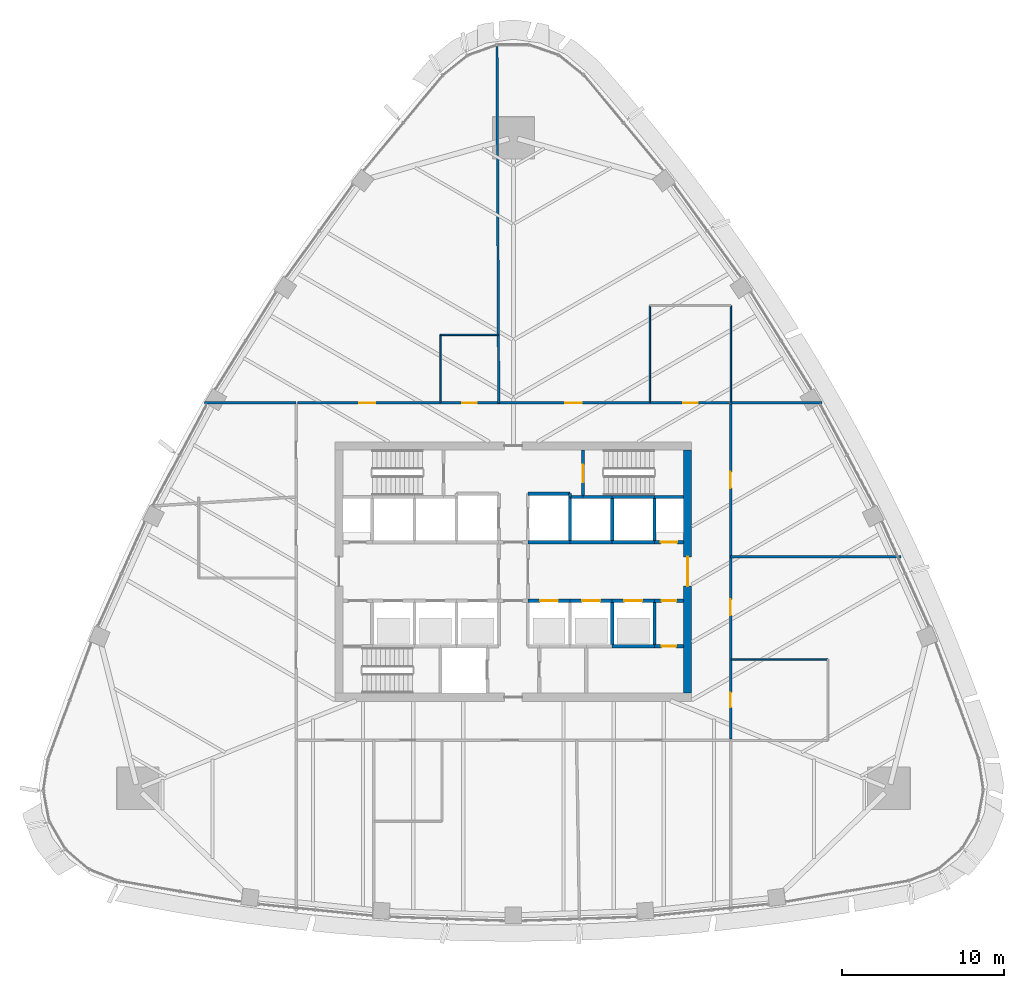
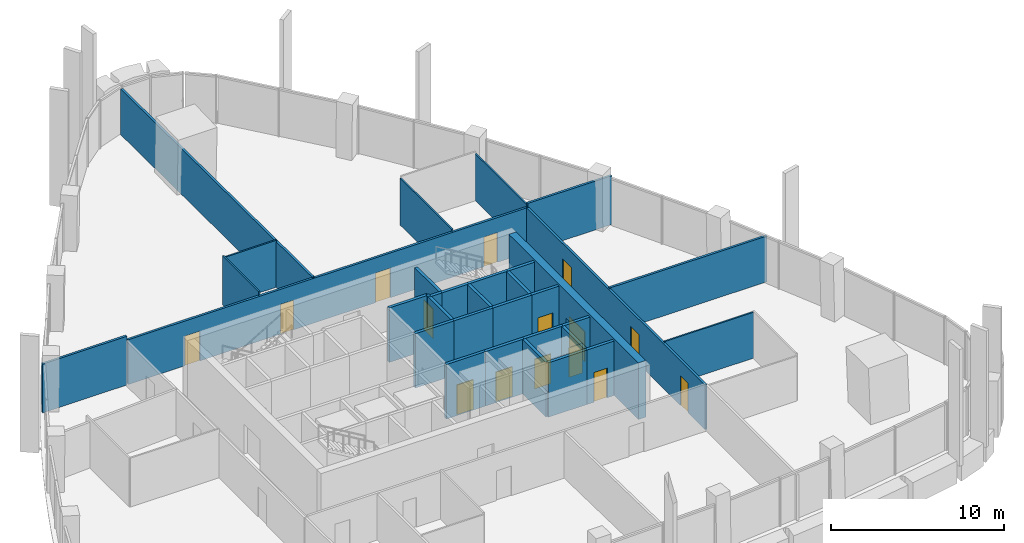
# One storey, part 11 of 19: 34 walls, 15 doors, 15 openings.
"""IFC4 building model written with IfcOpenShell, lengths in metres."""

from ifc_helpers import new_model, si_unit, direction, frame, frame_2d, origin, place, context, subcontext, project, spatial, rectangle, extrude, material, layer, layer_set, type_object, element, fill, save


model = new_model("IFC4")

# Units and contexts
model_context = context("Model", 3, precision=1e-05, world=origin(), true_north=direction((0.0, 1.0)))
body_context = subcontext(model_context, "Body", "Model", "MODEL_VIEW")
ifc_project = project(units=[si_unit("LENGTHUNIT", "METRE"), si_unit("AREAUNIT", "SQUARE_METRE"), si_unit("VOLUMEUNIT", "CUBIC_METRE"), si_unit("PLANEANGLEUNIT", "RADIAN"), si_unit("MASSUNIT", "GRAM", prefix="KILO")], contexts=[model_context])

# Site, building, storey
site_placement = place(None, origin())
site = spatial("IfcSite", under=ifc_project, at=site_placement, CompositionType="ELEMENT")
building_placement = place(site_placement, origin())
building = spatial("IfcBuilding", under=site, at=building_placement, Name="Sierra Prisma Convention Tower", CompositionType="ELEMENT")
storey_placement = place(building_placement, frame((0.0, 0.0, 193.800048828125)))
storey = spatial("IfcBuildingStorey", under=building, at=storey_placement, Name="L43", CompositionType="ELEMENT", Elevation=193.800048828125)

# Walls
ifc_material_1 = material(Name="Gypsum board partition", Category="gypsum")
ifc_layer_1 = layer(ifc_material_1, 0.10009765625)
ifc_layer_set_1 = layer_set([ifc_layer_1], Name="Bathroom partition 100")
wall_type_1 = type_object("IfcWallType", Name="Bathroom partition 100", PredefinedType="PARTITIONING", material=ifc_layer_set_1)
wall_1_placement = place(storey_placement, frame((-4.5, 10.429931640625, 0.0), z_axis=(0.0, 0.0, 1.0), x_axis=(0.0, 1.0, 0.0)))
element("IfcWall", 1, at=wall_1_placement, inside=storey, type_object=wall_type_1, Name="Partition L43 bath 5", PredefinedType="PARTITIONING", context=body_context, shape_type="SweptSolid", body=[
    extrude(rectangle(XDim=4.170166015625, YDim=0.10009765625, at=frame_2d((2.0849609375, 0.0))), origin(), (0.0, 0.0, 1.0), 3.449951171875),
])
wall_2_placement = place(storey_placement, frame((-4.5, 14.60009765625, 0.0), z_axis=(0.0, 0.0, 1.0), x_axis=(1.0, 0.0, 0.0)))
element("IfcWall", 2, at=wall_2_placement, inside=storey, type_object=wall_type_1, Name="Partition L43 bath 6", PredefinedType="PARTITIONING", context=body_context, shape_type="SweptSolid", body=[
    extrude(rectangle(XDim=3.570068359375, YDim=0.10009765625, at=frame_2d((1.78515625, 0.0))), origin(), (0.0, 0.0, 1.0), 3.31689453125),
])
for number, where, z_axis, x_axis, name in (
    (3, (8.419921875, 10.429931640625, 0.0), (0.0, 0.0, 1.0), (0.0, 1.0, 0.0), "Partition L43 bath 7"),
    (4, (13.419921875, 16.39990234375, 0.0), (0.0, 0.0, 1.0), (0.0, -1.0, 0.0), "Partition L43 bath 9"),
):
    element("IfcWall", number, at=place(storey_placement, frame(where, z_axis=z_axis, x_axis=x_axis)), inside=storey, type_object=wall_type_1, Name=name, PredefinedType="PARTITIONING", context=body_context, shape_type="SweptSolid", body=[
        extrude(rectangle(XDim=5.969970703125, YDim=0.10009765625, at=frame_2d((2.98486328125, 0.0))), origin(), (0.0, 0.0, 1.0), 3.31689453125),
    ])
wall_3_placement = place(storey_placement, frame((13.429931640625, -5.419921875, 0.0), z_axis=(0.0, 0.0, 1.0), x_axis=(1.0, 0.0, 0.0)))
element("IfcWall", 5, at=wall_3_placement, inside=storey, type_object=wall_type_1, Name="Partition L43 bath 10", PredefinedType="PARTITIONING", context=body_context, shape_type="SweptSolid", body=[
    extrude(rectangle(XDim=5.969970703125, YDim=0.10009765625, at=frame_2d((2.98486328125, 0.0))), origin(), (0.0, 0.0, 1.0), 3.2470703125),
])

# Wall, opening, door
ifc_material_2 = material(Name="Concrete C30/37", Category="concrete")
ifc_layer_2 = layer(ifc_material_2, 0.199951171875)
ifc_layer_set_2 = layer_set([ifc_layer_2], Name="Core wall RC 200 C30/37")
wall_type_2 = type_object("IfcWallType", Name="Core wall RC 200 C30/37", PredefinedType="SOLIDWALL", material=ifc_layer_set_2)
wall_4_placement = place(storey_placement, frame((0.89990234375, -1.800048828125, 0.0), z_axis=(0.0, 0.0, 1.0), x_axis=(1.0, 0.0, 0.0)))
wall_4 = element("IfcWall", 6, at=wall_4_placement, inside=storey, type_object=wall_type_2, Name="Core wall L43 35", PredefinedType="SOLIDWALL", context=body_context, shape_type="SweptSolid", body=[
    extrude(rectangle(XDim=2.60009765625, YDim=0.199951171875, at=frame_2d((1.300048828125, 0.0))), origin(), (0.0, 0.0, 1.0), 3.849853515625),
])
opening_1_placement = place(wall_4_placement, frame((0.75, 0.0, 0.0)))
opening_1 = element("IfcOpeningElement", 7, at=opening_1_placement, cuts=wall_4, Name="Opening L43-D004", PredefinedType="OPENING", context=body_context, shape_type="SweptSolid", body=[
    extrude(rectangle(XDim=1.10009765625, YDim=2.10009765625, at=frame_2d((0.550048828125, 1.050048828125))), frame((0.0, 0.10009765625, 0.0), z_axis=(0.0, -1.0, 0.0), x_axis=(1.0, 0.0, 0.0)), (0.0, 0.0, 1.0), 0.199951171875),
])
ifc_material_3 = material(Name="Steel fire door leaf", Category="steel")
door_type_1 = type_object("IfcDoorType", Name="Door 1100x2100 EI 90 sliding lift landing", OperationType="SLIDING_TO_LEFT", PredefinedType="DOOR", material=ifc_material_3)
door_1_placement = place(opening_1_placement, origin())
door_1 = element("IfcDoor", 8, at=door_1_placement, inside=storey, type_object=door_type_1, Name="Door L43 18", OperationType="SLIDING_TO_RIGHT", OverallHeight=2.10009765625, OverallWidth=1.10009765625, PredefinedType="DOOR", context=body_context, shape_type="SweptSolid", body=[
    extrude(rectangle(XDim=1.10009765625, YDim=2.10009765625, at=frame_2d((0.550048828125, 1.050048828125))), frame((0.0, 0.02490234375, 0.0), z_axis=(0.0, -1.0, 0.0), x_axis=(1.0, 0.0, 0.0)), (0.0, 0.0, 1.0), 0.050048828125),
])
fill(opening_1, door_1)

# Walls
wall_5_placement = place(storey_placement, frame((3.5, 1.800048828125, 0.0), z_axis=(0.0, 0.0, 1.0), x_axis=(-1.0, 0.0, 0.0)))
element("IfcWall", 9, at=wall_5_placement, inside=storey, type_object=wall_type_2, Name="Core wall L43 39", PredefinedType="SOLIDWALL", context=body_context, shape_type="SweptSolid", body=[
    extrude(rectangle(XDim=2.60009765625, YDim=0.199951171875, at=frame_2d((1.300048828125, 0.0))), origin(), (0.0, 0.0, 1.0), 3.849853515625),
])
wall_6_placement = place(storey_placement, frame((3.5, 4.60009765625, 0.0), z_axis=(0.0, 0.0, 1.0), x_axis=(0.0, 1.0, 0.0)))
element("IfcWall", 10, at=wall_6_placement, inside=storey, type_object=wall_type_2, Name="Core wall L43 40", PredefinedType="SOLIDWALL", context=body_context, shape_type="SweptSolid", body=[
    extrude(rectangle(XDim=0.199951171875, YDim=0.199951171875, at=frame_2d((0.10009765625, 0.0))), origin(), (0.0, 0.0, 1.0), 3.849853515625),
])
wall_7_placement = place(storey_placement, frame((3.5, 4.800048828125, 0.0), z_axis=(0.0, 0.0, 1.0), x_axis=(-1.0, 0.0, 0.0)))
element("IfcWall", 11, at=wall_7_placement, inside=storey, type_object=wall_type_2, Name="Core wall L43 41", PredefinedType="SOLIDWALL", context=body_context, shape_type="SweptSolid", body=[
    extrude(rectangle(XDim=2.60009765625, YDim=0.199951171875, at=frame_2d((1.300048828125, 0.0))), origin(), (0.0, 0.0, 1.0), 3.849853515625),
])

# Wall, opening, door
wall_8_placement = place(storey_placement, frame((3.5, -1.800048828125, 0.0), z_axis=(0.0, 0.0, 1.0), x_axis=(1.0, 0.0, 0.0)))
wall_8 = element("IfcWall", 12, at=wall_8_placement, inside=storey, type_object=wall_type_2, Name="Core wall L43 47", PredefinedType="SOLIDWALL", context=body_context, shape_type="SweptSolid", body=[
    extrude(rectangle(XDim=2.60009765625, YDim=0.199951171875, at=frame_2d((1.300048828125, 0.0))), origin(), (0.0, 0.0, 1.0), 3.849853515625),
])
opening_2_placement = place(wall_8_placement, frame((0.75, 0.0, 0.0)))
opening_2 = element("IfcOpeningElement", 13, at=opening_2_placement, cuts=wall_8, Name="Opening L43-D005", PredefinedType="OPENING", context=body_context, shape_type="SweptSolid", body=[
    extrude(rectangle(XDim=1.10009765625, YDim=2.10009765625, at=frame_2d((0.550048828125, 1.050048828125))), frame((0.0, 0.10009765625, 0.0), z_axis=(0.0, -1.0, 0.0), x_axis=(1.0, 0.0, 0.0)), (0.0, 0.0, 1.0), 0.199951171875),
])
door_2_placement = place(opening_2_placement, origin())
door_2 = element("IfcDoor", 14, at=door_2_placement, inside=storey, type_object=door_type_1, Name="Door L43 19", OperationType="SLIDING_TO_RIGHT", OverallHeight=2.10009765625, OverallWidth=1.10009765625, PredefinedType="DOOR", context=body_context, shape_type="SweptSolid", body=[
    extrude(rectangle(XDim=1.10009765625, YDim=2.10009765625, at=frame_2d((0.550048828125, 1.050048828125))), frame((0.0, 0.02490234375, 0.0), z_axis=(0.0, -1.0, 0.0), x_axis=(1.0, 0.0, 0.0)), (0.0, 0.0, 1.0), 0.050048828125),
])
fill(opening_2, door_2)

# Walls
wall_9_placement = place(storey_placement, frame((6.10009765625, 1.800048828125, 0.0), z_axis=(0.0, 0.0, 1.0), x_axis=(-1.0, 0.0, 0.0)))
element("IfcWall", 15, at=wall_9_placement, inside=storey, type_object=wall_type_2, Name="Core wall L43 48", PredefinedType="SOLIDWALL", context=body_context, shape_type="SweptSolid", body=[
    extrude(rectangle(XDim=2.60009765625, YDim=0.199951171875, at=frame_2d((1.300048828125, 0.0))), origin(), (0.0, 0.0, 1.0), 3.849853515625),
])
wall_10_placement = place(storey_placement, frame((3.5, 1.800048828125, 0.0), z_axis=(0.0, 0.0, 1.0), x_axis=(0.0, 1.0, 0.0)))
element("IfcWall", 16, at=wall_10_placement, inside=storey, type_object=wall_type_2, Name="Core wall L43 49", PredefinedType="SOLIDWALL", context=body_context, shape_type="SweptSolid", body=[
    extrude(rectangle(XDim=2.800048828125, YDim=0.199951171875, at=frame_2d((1.39990234375, 0.0))), origin(), (0.0, 0.0, 1.0), 3.849853515625),
])
wall_11_placement = place(storey_placement, frame((4.300048828125, 4.60009765625, 0.0), z_axis=(0.0, 0.0, 1.0), x_axis=(-1.0, 0.0, 0.0)))
element("IfcWall", 17, at=wall_11_placement, inside=storey, type_object=wall_type_2, Name="Core wall L43 50", PredefinedType="SOLIDWALL", context=body_context, shape_type="SweptSolid", body=[
    extrude(rectangle(XDim=0.800048828125, YDim=0.199951171875, at=frame_2d((0.39990234375, 0.0))), origin(), (0.0, 0.0, 1.0), 3.849853515625),
])
wall_12_placement = place(storey_placement, frame((6.10009765625, 4.60009765625, 0.0), z_axis=(0.0, 0.0, 1.0), x_axis=(-1.0, 0.0, 0.0)))
element("IfcWall", 18, at=wall_12_placement, inside=storey, type_object=wall_type_2, Name="Core wall L43 51", PredefinedType="SOLIDWALL", context=body_context, shape_type="SweptSolid", body=[
    extrude(rectangle(XDim=1.800048828125, YDim=0.199951171875, at=frame_2d((0.89990234375, 0.0))), origin(), (0.0, 0.0, 1.0), 3.849853515625),
])

# Wall, opening, door
wall_13_placement = place(storey_placement, frame((4.300048828125, 7.5, 0.0), z_axis=(0.0, 0.0, 1.0), x_axis=(0.0, -1.0, 0.0)))
wall_13 = element("IfcWall", 19, at=wall_13_placement, inside=storey, type_object=wall_type_2, Name="Core wall L43 52", PredefinedType="SOLIDWALL", context=body_context, shape_type="SweptSolid", body=[
    extrude(rectangle(XDim=2.89990234375, YDim=0.199951171875, at=frame_2d((1.449951171875, 0.0))), origin(), (0.0, 0.0, 1.0), 3.849853515625),
])
opening_3_placement = place(wall_13_placement, frame((0.89990234375, 0.0, 0.0)))
opening_3 = element("IfcOpeningElement", 20, at=opening_3_placement, cuts=wall_13, Name="Opening L43-D019", PredefinedType="OPENING", context=body_context, shape_type="SweptSolid", body=[
    extrude(rectangle(XDim=1.10009765625, YDim=2.10009765625, at=frame_2d((0.550048828125, 1.050048828125))), frame((0.0, 0.10009765625, 0.0), z_axis=(0.0, -1.0, 0.0), x_axis=(1.0, 0.0, 0.0)), (0.0, 0.0, 1.0), 0.199951171875),
])
ifc_material_4 = material(Name="Steel fire door leaf", Category="steel")
door_type_2 = type_object("IfcDoorType", Name="Door 1100x2100 FD90S", OperationType="SINGLE_SWING_LEFT", PredefinedType="DOOR", material=ifc_material_4)
door_3_placement = place(opening_3_placement, origin())
door_3 = element("IfcDoor", 21, at=door_3_placement, inside=storey, type_object=door_type_2, Name="Door L43 33", OperationType="SINGLE_SWING_LEFT", OverallHeight=2.10009765625, OverallWidth=1.10009765625, PredefinedType="DOOR", context=body_context, shape_type="SweptSolid", body=[
    extrude(rectangle(XDim=1.10009765625, YDim=2.10009765625, at=frame_2d((0.550048828125, 1.050048828125))), frame((0.0, 0.02490234375, 0.0), z_axis=(0.0, -1.0, 0.0), x_axis=(1.0, 0.0, 0.0)), (0.0, 0.0, 1.0), 0.050048828125),
])
fill(opening_3, door_3)

# Walls
wall_14_placement = place(storey_placement, frame((8.699951171875, -4.60009765625, 0.0), z_axis=(0.0, 0.0, 1.0), x_axis=(-1.0, 0.0, 0.0)))
element("IfcWall", 22, at=wall_14_placement, inside=storey, type_object=wall_type_2, Name="Core wall L43 55", PredefinedType="SOLIDWALL", context=body_context, shape_type="SweptSolid", body=[
    extrude(rectangle(XDim=2.599853515625, YDim=0.199951171875, at=frame_2d((1.2998046875, 0.0))), origin(), (0.0, 0.0, 1.0), 3.849853515625),
])
wall_15_placement = place(storey_placement, frame((6.10009765625, -4.60009765625, 0.0), z_axis=(0.0, 0.0, 1.0), x_axis=(0.0, 1.0, 0.0)))
element("IfcWall", 23, at=wall_15_placement, inside=storey, type_object=wall_type_2, Name="Core wall L43 56", PredefinedType="SOLIDWALL", context=body_context, shape_type="SweptSolid", body=[
    extrude(rectangle(XDim=2.800048828125, YDim=0.199951171875, at=frame_2d((1.39990234375, 0.0))), origin(), (0.0, 0.0, 1.0), 3.849853515625),
])

# Wall, opening, door
wall_16_placement = place(storey_placement, frame((6.10009765625, -1.800048828125, 0.0), z_axis=(0.0, 0.0, 1.0), x_axis=(1.0, 0.0, 0.0)))
wall_16 = element("IfcWall", 24, at=wall_16_placement, inside=storey, type_object=wall_type_2, Name="Core wall L43 57", PredefinedType="SOLIDWALL", context=body_context, shape_type="SweptSolid", body=[
    extrude(rectangle(XDim=2.599853515625, YDim=0.199951171875, at=frame_2d((1.2998046875, 0.0))), origin(), (0.0, 0.0, 1.0), 3.849853515625),
])
opening_4_placement = place(wall_16_placement, frame((0.75, 0.0, 0.0)))
opening_4 = element("IfcOpeningElement", 25, at=opening_4_placement, cuts=wall_16, Name="Opening L43-D006", PredefinedType="OPENING", context=body_context, shape_type="SweptSolid", body=[
    extrude(rectangle(XDim=1.10009765625, YDim=2.10009765625, at=frame_2d((0.550048828125, 1.050048828125))), frame((0.0, 0.10009765625, 0.0), z_axis=(0.0, -1.0, 0.0), x_axis=(1.0, 0.0, 0.0)), (0.0, 0.0, 1.0), 0.199951171875),
])
door_4_placement = place(opening_4_placement, origin())
door_4 = element("IfcDoor", 26, at=door_4_placement, inside=storey, type_object=door_type_1, Name="Door L43 20", OperationType="SLIDING_TO_RIGHT", OverallHeight=2.10009765625, OverallWidth=1.10009765625, PredefinedType="DOOR", context=body_context, shape_type="SweptSolid", body=[
    extrude(rectangle(XDim=1.10009765625, YDim=2.10009765625, at=frame_2d((0.550048828125, 1.050048828125))), frame((0.0, 0.02490234375, 0.0), z_axis=(0.0, -1.0, 0.0), x_axis=(1.0, 0.0, 0.0)), (0.0, 0.0, 1.0), 0.050048828125),
])
fill(opening_4, door_4)

# Walls
wall_17_placement = place(storey_placement, frame((8.699951171875, 1.800048828125, 0.0), z_axis=(0.0, 0.0, 1.0), x_axis=(-1.0, 0.0, 0.0)))
element("IfcWall", 27, at=wall_17_placement, inside=storey, type_object=wall_type_2, Name="Core wall L43 58", PredefinedType="SOLIDWALL", context=body_context, shape_type="SweptSolid", body=[
    extrude(rectangle(XDim=2.599853515625, YDim=0.199951171875, at=frame_2d((1.2998046875, 0.0))), origin(), (0.0, 0.0, 1.0), 3.849853515625),
])
wall_18_placement = place(storey_placement, frame((6.10009765625, 1.800048828125, 0.0), z_axis=(0.0, 0.0, 1.0), x_axis=(0.0, 1.0, 0.0)))
element("IfcWall", 28, at=wall_18_placement, inside=storey, type_object=wall_type_2, Name="Core wall L43 59", PredefinedType="SOLIDWALL", context=body_context, shape_type="SweptSolid", body=[
    extrude(rectangle(XDim=2.800048828125, YDim=0.199951171875, at=frame_2d((1.39990234375, 0.0))), origin(), (0.0, 0.0, 1.0), 3.849853515625),
])
wall_19_placement = place(storey_placement, frame((8.699951171875, 4.60009765625, 0.0), z_axis=(0.0, 0.0, 1.0), x_axis=(-1.0, 0.0, 0.0)))
element("IfcWall", 29, at=wall_19_placement, inside=storey, type_object=wall_type_2, Name="Core wall L43 60", PredefinedType="SOLIDWALL", context=body_context, shape_type="SweptSolid", body=[
    extrude(rectangle(XDim=2.599853515625, YDim=0.199951171875, at=frame_2d((1.2998046875, 0.0))), origin(), (0.0, 0.0, 1.0), 3.849853515625),
])

# Wall, opening, door
wall_20_placement = place(storey_placement, frame((10.5, -4.60009765625, 0.0), z_axis=(0.0, 0.0, 1.0), x_axis=(-1.0, 0.0, 0.0)))
wall_20 = element("IfcWall", 30, at=wall_20_placement, inside=storey, type_object=wall_type_2, Name="Core wall L43 61", PredefinedType="SOLIDWALL", context=body_context, shape_type="SweptSolid", body=[
    extrude(rectangle(XDim=1.800048828125, YDim=0.199951171875, at=frame_2d((0.89990234375, 0.0))), origin(), (0.0, 0.0, 1.0), 3.849853515625),
])
opening_5_placement = place(wall_20_placement, frame((0.4599609375, 0.0, 0.0)))
opening_5 = element("IfcOpeningElement", 31, at=opening_5_placement, cuts=wall_20, Name="Opening L43-D020", PredefinedType="OPENING", context=body_context, shape_type="SweptSolid", body=[
    extrude(rectangle(XDim=0.89990234375, YDim=2.10009765625, at=frame_2d((0.449951171875, 1.050048828125))), frame((0.0, 0.10009765625, 0.0), z_axis=(0.0, -1.0, 0.0), x_axis=(1.0, 0.0, 0.0)), (0.0, 0.0, 1.0), 0.199951171875),
])
ifc_material_5 = material(Name="Steel fire door leaf", Category="steel")
door_type_3 = type_object("IfcDoorType", Name="Door 900x2100 FD30S", OperationType="SINGLE_SWING_LEFT", PredefinedType="DOOR", material=ifc_material_5)
door_5_placement = place(opening_5_placement, origin())
door_5 = element("IfcDoor", 32, at=door_5_placement, inside=storey, type_object=door_type_3, Name="Door L43 34", OperationType="SINGLE_SWING_LEFT", OverallHeight=2.10009765625, OverallWidth=0.89990234375, PredefinedType="DOOR", context=body_context, shape_type="SweptSolid", body=[
    extrude(rectangle(XDim=0.89990234375, YDim=2.10009765625, at=frame_2d((0.449951171875, 1.050048828125))), frame((0.0, 0.02490234375, 0.0), z_axis=(0.0, -1.0, 0.0), x_axis=(1.0, 0.0, 0.0)), (0.0, 0.0, 1.0), 0.050048828125),
])
fill(opening_5, door_5)

# Wall
wall_21_placement = place(storey_placement, frame((8.699951171875, -1.800048828125, 0.0), z_axis=(0.0, 0.0, 1.0), x_axis=(0.0, -1.0, 0.0)))
element("IfcWall", 33, at=wall_21_placement, inside=storey, type_object=wall_type_2, Name="Core wall L43 62", PredefinedType="SOLIDWALL", context=body_context, shape_type="SweptSolid", body=[
    extrude(rectangle(XDim=2.800048828125, YDim=0.199951171875, at=frame_2d((1.39990234375, 0.0))), origin(), (0.0, 0.0, 1.0), 3.849853515625),
])

# Wall, opening, door
wall_22_placement = place(storey_placement, frame((8.699951171875, -1.800048828125, 0.0), z_axis=(0.0, 0.0, 1.0), x_axis=(1.0, 0.0, 0.0)))
wall_22 = element("IfcWall", 34, at=wall_22_placement, inside=storey, type_object=wall_type_2, Name="Core wall L43 63", PredefinedType="SOLIDWALL", context=body_context, shape_type="SweptSolid", body=[
    extrude(rectangle(XDim=1.800048828125, YDim=0.199951171875, at=frame_2d((0.89990234375, 0.0))), origin(), (0.0, 0.0, 1.0), 3.849853515625),
])
opening_6_placement = place(wall_22_placement, frame((0.449951171875, 0.0, 0.0)))
opening_6 = element("IfcOpeningElement", 35, at=opening_6_placement, cuts=wall_22, Name="Opening L43-D021", PredefinedType="OPENING", context=body_context, shape_type="SweptSolid", body=[
    extrude(rectangle(XDim=0.89990234375, YDim=2.10009765625, at=frame_2d((0.449951171875, 1.050048828125))), frame((0.0, 0.10009765625, 0.0), z_axis=(0.0, -1.0, 0.0), x_axis=(1.0, 0.0, 0.0)), (0.0, 0.0, 1.0), 0.199951171875),
])
door_6_placement = place(opening_6_placement, origin())
door_6 = element("IfcDoor", 36, at=door_6_placement, inside=storey, type_object=door_type_3, Name="Door L43 35", OperationType="SINGLE_SWING_LEFT", OverallHeight=2.10009765625, OverallWidth=0.89990234375, PredefinedType="DOOR", context=body_context, shape_type="SweptSolid", body=[
    extrude(rectangle(XDim=0.89990234375, YDim=2.10009765625, at=frame_2d((0.449951171875, 1.050048828125))), frame((0.0, 0.02490234375, 0.0), z_axis=(0.0, -1.0, 0.0), x_axis=(1.0, 0.0, 0.0)), (0.0, 0.0, 1.0), 0.050048828125),
])
fill(opening_6, door_6)

wall_23_placement = place(storey_placement, frame((10.5, 1.800048828125, 0.0), z_axis=(0.0, 0.0, 1.0), x_axis=(-1.0, 0.0, 0.0)))
wall_23 = element("IfcWall", 37, at=wall_23_placement, inside=storey, type_object=wall_type_2, Name="Core wall L43 64", PredefinedType="SOLIDWALL", context=body_context, shape_type="SweptSolid", body=[
    extrude(rectangle(XDim=1.800048828125, YDim=0.199951171875, at=frame_2d((0.89990234375, 0.0))), origin(), (0.0, 0.0, 1.0), 3.849853515625),
])
opening_7_placement = place(wall_23_placement, frame((0.39990234375, 0.0, 0.0)))
opening_7 = element("IfcOpeningElement", 38, at=opening_7_placement, cuts=wall_23, Name="Opening L43-D016", PredefinedType="OPENING", context=body_context, shape_type="SweptSolid", body=[
    extrude(rectangle(XDim=1.0, YDim=2.10009765625, at=frame_2d((0.5, 1.050048828125))), frame((0.0, 0.10009765625, 0.0), z_axis=(0.0, -1.0, 0.0), x_axis=(1.0, 0.0, 0.0)), (0.0, 0.0, 1.0), 0.199951171875),
])
ifc_material_6 = material(Name="Steel fire door leaf", Category="steel")
door_type_4 = type_object("IfcDoorType", Name="Door 1000x2100 FD60S", OperationType="SINGLE_SWING_LEFT", PredefinedType="DOOR", material=ifc_material_6)
door_7_placement = place(opening_7_placement, origin())
door_7 = element("IfcDoor", 39, at=door_7_placement, inside=storey, type_object=door_type_4, Name="Door L43 30", OperationType="SINGLE_SWING_RIGHT", OverallHeight=2.10009765625, OverallWidth=1.0, PredefinedType="DOOR", context=body_context, shape_type="SweptSolid", body=[
    extrude(rectangle(XDim=1.0, YDim=2.10009765625, at=frame_2d((0.5, 1.050048828125))), frame((0.0, 0.02490234375, 0.0), z_axis=(0.0, -1.0, 0.0), x_axis=(1.0, 0.0, 0.0)), (0.0, 0.0, 1.0), 0.050048828125),
])
fill(opening_7, door_7)

# Walls
wall_24_placement = place(storey_placement, frame((8.699951171875, 4.60009765625, 0.0), z_axis=(0.0, 0.0, 1.0), x_axis=(0.0, -1.0, 0.0)))
element("IfcWall", 40, at=wall_24_placement, inside=storey, type_object=wall_type_2, Name="Core wall L43 65", PredefinedType="SOLIDWALL", context=body_context, shape_type="SweptSolid", body=[
    extrude(rectangle(XDim=2.800048828125, YDim=0.199951171875, at=frame_2d((1.39990234375, 0.0))), origin(), (0.0, 0.0, 1.0), 3.849853515625),
])
wall_25_placement = place(storey_placement, frame((10.5, 4.60009765625, 0.0), z_axis=(0.0, 0.0, 1.0), x_axis=(-1.0, 0.0, 0.0)))
element("IfcWall", 41, at=wall_25_placement, inside=storey, type_object=wall_type_2, Name="Core wall L43 66", PredefinedType="SOLIDWALL", context=body_context, shape_type="SweptSolid", body=[
    extrude(rectangle(XDim=1.800048828125, YDim=0.199951171875, at=frame_2d((0.89990234375, 0.0))), origin(), (0.0, 0.0, 1.0), 3.849853515625),
])

# Wall, opening, door
ifc_material_7 = material(Name="Concrete C60/75", Category="concrete")
ifc_layer_3 = layer(ifc_material_7, 0.5)
ifc_layer_set_3 = layer_set([ifc_layer_3], Name="Core wall RC 500 C60/75")
wall_type_3 = type_object("IfcWallType", Name="Core wall RC 500 C60/75", PredefinedType="SHEAR", material=ifc_layer_set_3)
wall_26_placement = place(storey_placement, frame((10.75, -7.5, 0.0), z_axis=(0.0, 0.0, 1.0), x_axis=(0.0, 1.0, 0.0)))
wall_26 = element("IfcWall", 42, at=wall_26_placement, inside=storey, type_object=wall_type_3, Name="Core wall E L43", PredefinedType="SHEAR", context=body_context, shape_type="SweptSolid", body=[
    extrude(rectangle(XDim=15.0, YDim=0.5, at=frame_2d((7.5, 0.0))), origin(), (0.0, 0.0, 1.0), 4.0),
])
opening_8_placement = place(wall_26_placement, frame((6.60009765625, 0.0, 0.0)))
opening_8 = element("IfcOpeningElement", 43, at=opening_8_placement, cuts=wall_26, Name="Opening L43-D037", PredefinedType="OPENING", context=body_context, shape_type="SweptSolid", body=[
    extrude(rectangle(XDim=1.800048828125, YDim=2.10009765625, at=frame_2d((0.89990234375, 1.050048828125))), frame((0.0, 0.25, 0.0), z_axis=(0.0, -1.0, 0.0), x_axis=(1.0, 0.0, 0.0)), (0.0, 0.0, 1.0), 0.5),
])
ifc_material_8 = material(Name="Steel fire door leaf", Category="steel")
door_type_5 = type_object("IfcDoorType", Name="Door 1800x2100 FD60S", OperationType="DOUBLE_DOOR_SINGLE_SWING", PredefinedType="DOOR", material=ifc_material_8)
door_8_placement = place(opening_8_placement, origin())
door_8 = element("IfcDoor", 44, at=door_8_placement, inside=storey, type_object=door_type_5, Name="Door L43 38", OperationType="DOUBLE_DOOR_SINGLE_SWING", OverallHeight=2.10009765625, OverallWidth=1.800048828125, PredefinedType="DOOR", context=body_context, shape_type="SweptSolid", body=[
    extrude(rectangle(XDim=1.800048828125, YDim=2.10009765625, at=frame_2d((0.89990234375, 1.050048828125))), frame((0.0, 0.02490234375, 0.0), z_axis=(0.0, -1.0, 0.0), x_axis=(1.0, 0.0, 0.0)), (0.0, 0.0, 1.0), 0.050048828125),
])
fill(opening_8, door_8)

# Wall, openings, doors
ifc_material_9 = material(Name="Gypsum board partition", Category="gypsum")
ifc_layer_4 = layer(ifc_material_9, 0.14990234375)
ifc_layer_set_4 = layer_set([ifc_layer_4], Name="Corridor wall 150 gypsum EI 60")
wall_type_4 = type_object("IfcWallType", Name="Corridor wall 150 gypsum EI 60", PredefinedType="PARTITIONING", material=ifc_layer_set_4)
wall_27_placement = place(storey_placement, frame((13.320068359375, 10.39990234375, 0.0), z_axis=(0.0, 0.0, 1.0), x_axis=(-1.0, 0.0, 0.0)))
wall_27 = element("IfcWall", 45, at=wall_27_placement, inside=storey, type_object=wall_type_4, Name="Partition L43 corr 3", PredefinedType="PARTITIONING", context=body_context, shape_type="SweptSolid", body=[
    extrude(rectangle(XDim=26.64013671875, YDim=0.14990234375, at=frame_2d((13.320068359375, 0.0))), origin(), (0.0, 0.0, 1.0), 3.166015625),
])
opening_9_placement = place(wall_27_placement, frame((1.949951171875, 0.0, 0.0)))
opening_9 = element("IfcOpeningElement", 46, at=opening_9_placement, cuts=wall_27, Name="Opening L43-D024", PredefinedType="OPENING", context=body_context, shape_type="SweptSolid", body=[
    extrude(rectangle(XDim=0.89990234375, YDim=2.10009765625, at=frame_2d((0.449951171875, 1.050048828125))), frame((0.0, 0.074951171875, 0.0), z_axis=(0.0, -1.0, 0.0), x_axis=(1.0, 0.0, 0.0)), (0.0, 0.0, 1.0), 0.14990234375),
])
opening_10_placement = place(wall_27_placement, frame((9.110107421875, 0.0, 0.0)))
opening_10 = element("IfcOpeningElement", 47, at=opening_10_placement, cuts=wall_27, Name="Opening L43-D025", PredefinedType="OPENING", context=body_context, shape_type="SweptSolid", body=[
    extrude(rectangle(XDim=1.0, YDim=2.10009765625, at=frame_2d((0.5, 1.050048828125))), frame((0.0, 0.074951171875, 0.0), z_axis=(0.0, -1.0, 0.0), x_axis=(1.0, 0.0, 0.0)), (0.0, 0.0, 1.0), 0.14990234375),
])
opening_11_placement = place(wall_27_placement, frame((15.570068359375, 0.0, 0.0)))
opening_11 = element("IfcOpeningElement", 48, at=opening_11_placement, cuts=wall_27, Name="Opening L43-D026", PredefinedType="OPENING", context=body_context, shape_type="SweptSolid", body=[
    extrude(rectangle(XDim=0.89990234375, YDim=2.10009765625, at=frame_2d((0.449951171875, 1.050048828125))), frame((0.0, 0.074951171875, 0.0), z_axis=(0.0, -1.0, 0.0), x_axis=(1.0, 0.0, 0.0)), (0.0, 0.0, 1.0), 0.14990234375),
])
opening_12_placement = place(wall_27_placement, frame((21.830078125, 0.0, 0.0)))
opening_12 = element("IfcOpeningElement", 49, at=opening_12_placement, cuts=wall_27, Name="Opening L43-D027", PredefinedType="OPENING", context=body_context, shape_type="SweptSolid", body=[
    extrude(rectangle(XDim=1.0, YDim=2.10009765625, at=frame_2d((0.5, 1.050048828125))), frame((0.0, 0.074951171875, 0.0), z_axis=(0.0, -1.0, 0.0), x_axis=(1.0, 0.0, 0.0)), (0.0, 0.0, 1.0), 0.14990234375),
])
ifc_material_10 = material(Name="Steel fire door leaf", Category="steel")
door_type_6 = type_object("IfcDoorType", Name="Door 1000x2100 FD30S", OperationType="SINGLE_SWING_LEFT", PredefinedType="DOOR", material=ifc_material_10)
door_9_placement = place(opening_10_placement, origin())
door_9 = element("IfcDoor", 50, at=door_9_placement, inside=storey, type_object=door_type_6, Name="Door L43 3", OperationType="SINGLE_SWING_LEFT", OverallHeight=2.10009765625, OverallWidth=1.0, PredefinedType="DOOR", context=body_context, shape_type="SweptSolid", body=[
    extrude(rectangle(XDim=1.0, YDim=2.10009765625, at=frame_2d((0.5, 1.050048828125))), frame((0.0, 0.02490234375, 0.0), z_axis=(0.0, -1.0, 0.0), x_axis=(1.0, 0.0, 0.0)), (0.0, 0.0, 1.0), 0.050048828125),
])
fill(opening_10, door_9)
door_10_placement = place(opening_12_placement, origin())
door_10 = element("IfcDoor", 51, at=door_10_placement, inside=storey, type_object=door_type_6, Name="Door L43 5", OperationType="SINGLE_SWING_RIGHT", OverallHeight=2.10009765625, OverallWidth=1.0, PredefinedType="DOOR", context=body_context, shape_type="SweptSolid", body=[
    extrude(rectangle(XDim=1.0, YDim=2.10009765625, at=frame_2d((0.5, 1.050048828125))), frame((0.0, 0.02490234375, 0.0), z_axis=(0.0, -1.0, 0.0), x_axis=(1.0, 0.0, 0.0)), (0.0, 0.0, 1.0), 0.050048828125),
])
fill(opening_12, door_10)
door_11_placement = place(opening_9_placement, origin())
door_11 = element("IfcDoor", 52, at=door_11_placement, inside=storey, type_object=door_type_3, Name="Door L43 2", OperationType="SINGLE_SWING_LEFT", OverallHeight=2.10009765625, OverallWidth=0.89990234375, PredefinedType="DOOR", context=body_context, shape_type="SweptSolid", body=[
    extrude(rectangle(XDim=0.89990234375, YDim=2.10009765625, at=frame_2d((0.449951171875, 1.050048828125))), frame((0.0, 0.02490234375, 0.0), z_axis=(0.0, -1.0, 0.0), x_axis=(1.0, 0.0, 0.0)), (0.0, 0.0, 1.0), 0.050048828125),
])
fill(opening_9, door_11)
door_12_placement = place(opening_11_placement, origin())
door_12 = element("IfcDoor", 53, at=door_12_placement, inside=storey, type_object=door_type_3, Name="Door L43 4", OperationType="SINGLE_SWING_RIGHT", OverallHeight=2.10009765625, OverallWidth=0.89990234375, PredefinedType="DOOR", context=body_context, shape_type="SweptSolid", body=[
    extrude(rectangle(XDim=0.89990234375, YDim=2.10009765625, at=frame_2d((0.449951171875, 1.050048828125))), frame((0.0, 0.02490234375, 0.0), z_axis=(0.0, -1.0, 0.0), x_axis=(1.0, 0.0, 0.0)), (0.0, 0.0, 1.0), 0.050048828125),
])
fill(opening_11, door_12)

wall_28_placement = place(storey_placement, frame((13.39990234375, -10.320068359375, 0.0), z_axis=(0.0, 0.0, 1.0), x_axis=(0.0, 1.0, 0.0)))
wall_28 = element("IfcWall", 54, at=wall_28_placement, inside=storey, type_object=wall_type_4, Name="Partition L43 corr 4", PredefinedType="PARTITIONING", context=body_context, shape_type="SweptSolid", body=[
    extrude(rectangle(XDim=20.64013671875, YDim=0.14990234375, at=frame_2d((10.320068359375, 0.0))), origin(), (0.0, 0.0, 1.0), 3.166015625),
])
opening_13_placement = place(wall_28_placement, frame((15.469970703125, 0.0, 0.0)))
opening_13 = element("IfcOpeningElement", 55, at=opening_13_placement, cuts=wall_28, Name="Opening L43-D023", PredefinedType="OPENING", context=body_context, shape_type="SweptSolid", body=[
    extrude(rectangle(XDim=1.0, YDim=2.10009765625, at=frame_2d((0.5, 1.050048828125))), frame((0.0, 0.074951171875, 0.0), z_axis=(0.0, -1.0, 0.0), x_axis=(1.0, 0.0, 0.0)), (0.0, 0.0, 1.0), 0.14990234375),
])
opening_14_placement = place(wall_28_placement, frame((1.949951171875, 0.0, 0.0)))
opening_14 = element("IfcOpeningElement", 56, at=opening_14_placement, cuts=wall_28, Name="Opening L43-D035", PredefinedType="OPENING", context=body_context, shape_type="SweptSolid", body=[
    extrude(rectangle(XDim=0.89990234375, YDim=2.10009765625, at=frame_2d((0.449951171875, 1.050048828125))), frame((0.0, 0.074951171875, 0.0), z_axis=(0.0, -1.0, 0.0), x_axis=(1.0, 0.0, 0.0)), (0.0, 0.0, 1.0), 0.14990234375),
])
opening_15_placement = place(wall_28_placement, frame((7.610107421875, 0.0, 0.0)))
opening_15 = element("IfcOpeningElement", 57, at=opening_15_placement, cuts=wall_28, Name="Opening L43-D036", PredefinedType="OPENING", context=body_context, shape_type="SweptSolid", body=[
    extrude(rectangle(XDim=1.0, YDim=2.10009765625, at=frame_2d((0.5, 1.050048828125))), frame((0.0, 0.074951171875, 0.0), z_axis=(0.0, -1.0, 0.0), x_axis=(1.0, 0.0, 0.0)), (0.0, 0.0, 1.0), 0.14990234375),
])
door_13_placement = place(opening_13_placement, origin())
door_13 = element("IfcDoor", 58, at=door_13_placement, inside=storey, type_object=door_type_6, Name="Door L43 1", OperationType="SINGLE_SWING_RIGHT", OverallHeight=2.10009765625, OverallWidth=1.0, PredefinedType="DOOR", context=body_context, shape_type="SweptSolid", body=[
    extrude(rectangle(XDim=1.0, YDim=2.10009765625, at=frame_2d((0.5, 1.050048828125))), frame((0.0, 0.02490234375, 0.0), z_axis=(0.0, -1.0, 0.0), x_axis=(1.0, 0.0, 0.0)), (0.0, 0.0, 1.0), 0.050048828125),
])
fill(opening_13, door_13)
door_14_placement = place(opening_15_placement, origin())
door_14 = element("IfcDoor", 59, at=door_14_placement, inside=storey, type_object=door_type_6, Name="Door L43 14", OperationType="SINGLE_SWING_RIGHT", OverallHeight=2.10009765625, OverallWidth=1.0, PredefinedType="DOOR", context=body_context, shape_type="SweptSolid", body=[
    extrude(rectangle(XDim=1.0, YDim=2.10009765625, at=frame_2d((0.5, 1.050048828125))), frame((0.0, 0.02490234375, 0.0), z_axis=(0.0, -1.0, 0.0), x_axis=(1.0, 0.0, 0.0)), (0.0, 0.0, 1.0), 0.050048828125),
])
fill(opening_15, door_14)
door_15_placement = place(opening_14_placement, origin())
door_15 = element("IfcDoor", 60, at=door_15_placement, inside=storey, type_object=door_type_3, Name="Door L43 13", OperationType="SINGLE_SWING_RIGHT", OverallHeight=2.10009765625, OverallWidth=0.89990234375, PredefinedType="DOOR", context=body_context, shape_type="SweptSolid", body=[
    extrude(rectangle(XDim=0.89990234375, YDim=2.10009765625, at=frame_2d((0.449951171875, 1.050048828125))), frame((0.0, 0.02490234375, 0.0), z_axis=(0.0, -1.0, 0.0), x_axis=(1.0, 0.0, 0.0)), (0.0, 0.0, 1.0), 0.050048828125),
])
fill(opening_14, door_15)

# Walls
ifc_material_11 = material(Name="Gypsum board partition", Category="gypsum")
ifc_layer_5 = layer(ifc_material_11, 0.14990234375)
ifc_layer_set_5 = layer_set([ifc_layer_5], Name="Party wall 150 gypsum")
wall_type_5 = type_object("IfcWallType", Name="Party wall 150 gypsum", PredefinedType="PARTITIONING", material=ifc_layer_set_5)
wall_29_placement = place(storey_placement, frame((-13.39990234375, 10.39990234375, 0.0), z_axis=(0.0, 0.0, 1.0), x_axis=(-1.0, 0.0, 0.0)))
element("IfcWall", 61, at=wall_29_placement, inside=storey, type_object=wall_type_5, Name="Partition L43 party 2", PredefinedType="PARTITIONING", context=body_context, shape_type="SweptSolid", body=[
    extrude(rectangle(XDim=5.634765625, YDim=0.14990234375, at=frame_2d((2.8173828125, 0.0))), origin(), (0.0, 0.0, 1.0), 3.449951171875),
])
wall_30_placement = place(storey_placement, frame((-0.89990234375, 10.39990234375, 0.0), z_axis=(0.0, 0.0, 1.0), x_axis=(-0.00494114489, 0.999987792469, 0.0)))
element("IfcWall", 62, at=wall_30_placement, inside=storey, type_object=wall_type_5, Name="Partition L43 party 5", PredefinedType="PARTITIONING", context=body_context, shape_type="SweptSolid", body=[
    extrude(rectangle(XDim=21.9873046875, YDim=0.14990234375, at=frame_2d((10.99365234375, 0.0))), origin(), (0.0, 0.0, 1.0), 3.23388671875),
])
wall_31_placement = place(storey_placement, frame((23.92236328125, 0.89990234375, 0.0), z_axis=(0.0, 0.0, 1.0), x_axis=(-1.0, 0.0, 0.0)))
element("IfcWall", 63, at=wall_31_placement, inside=storey, type_object=wall_type_5, Name="Partition L43 party 8", PredefinedType="PARTITIONING", context=body_context, shape_type="SweptSolid", body=[
    extrude(rectangle(XDim=10.5224609375, YDim=0.14990234375, at=frame_2d((5.26123046875, 0.0))), origin(), (0.0, 0.0, 1.0), 3.23388671875),
])
wall_32_placement = place(storey_placement, frame((13.39990234375, 10.39990234375, 0.0), z_axis=(0.0, 0.0, 1.0), x_axis=(1.0, 0.0, 0.0)))
element("IfcWall", 64, at=wall_32_placement, inside=storey, type_object=wall_type_5, Name="Partition L43 party 9", PredefinedType="PARTITIONING", context=body_context, shape_type="SweptSolid", body=[
    extrude(rectangle(XDim=5.634765625, YDim=0.14990234375, at=frame_2d((2.8173828125, 0.0))), origin(), (0.0, 0.0, 1.0), 3.449951171875),
])

save(model, "model.ifc")
